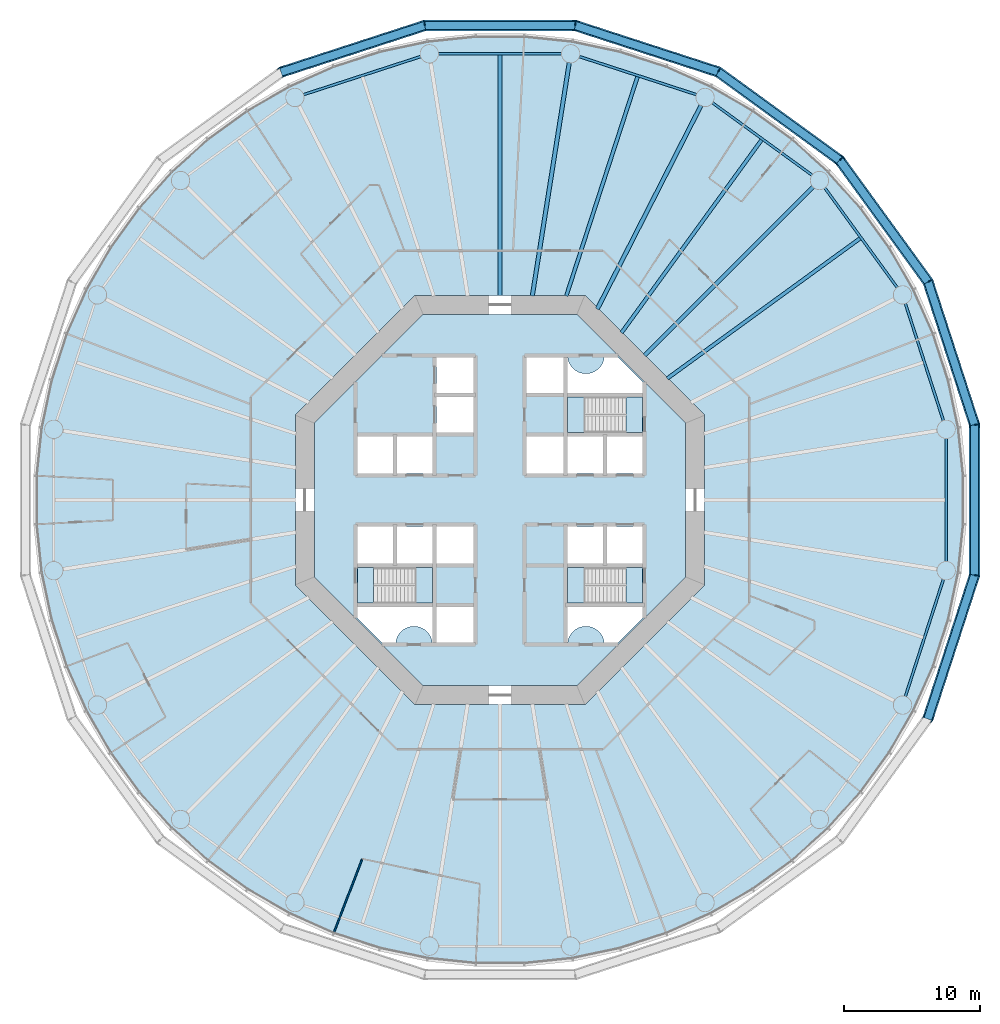
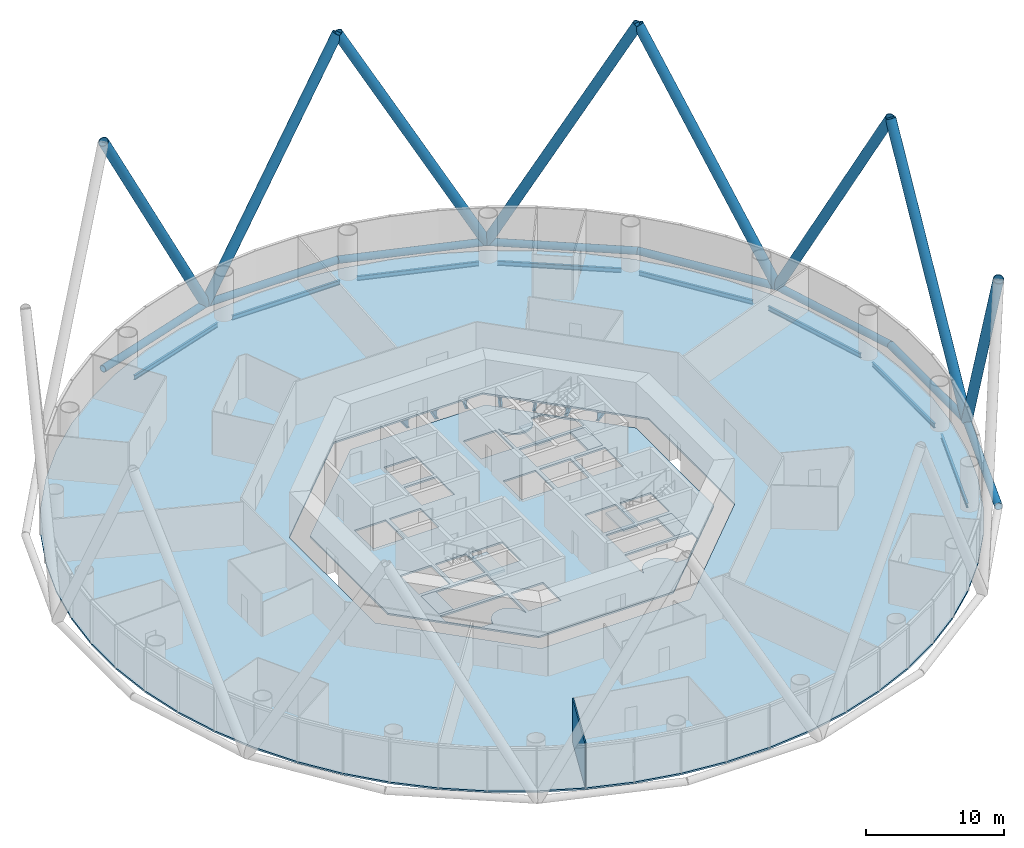
# One storey, part 2 of 13: 16 members, 15 beams, 8 slabs, 1 wall, 3 elements without a shape of their own.
"""IFC4 building model written with IfcOpenShell, lengths in metres."""

from ifc_helpers import new_model, si_unit, direction, frame, frame_2d, origin, origin_2d, place, context, subcontext, project, spatial, polyline, rectangle, circle, hollow_circle, i_section, outline, extrude, material, layer, layer_set, material_profile, profile_set, type_object, element, aggregate, save


model = new_model("IFC4")

# Units and contexts
model_context = context("Model", 3, precision=1e-05, world=origin(), true_north=direction((0.0, 1.0)))
body_context = subcontext(model_context, "Body", "Model", "MODEL_VIEW")
ifc_project = project(units=[si_unit("LENGTHUNIT", "METRE"), si_unit("AREAUNIT", "SQUARE_METRE"), si_unit("VOLUMEUNIT", "CUBIC_METRE"), si_unit("PLANEANGLEUNIT", "RADIAN"), si_unit("MASSUNIT", "GRAM", prefix="KILO")], contexts=[model_context])

# Site, building, storey
site_placement = place(None, origin())
site = spatial("IfcSite", under=ifc_project, at=site_placement, CompositionType="ELEMENT")
building_placement = place(site_placement, origin())
building = spatial("IfcBuilding", under=site, at=building_placement, Name="Entoto Ring Tower", CompositionType="ELEMENT")
storey_placement = place(building_placement, frame((0.0, 0.0, 54.0)))
storey = spatial("IfcBuildingStorey", under=building, at=storey_placement, Name="L11", CompositionType="ELEMENT", Elevation=54.0)

# Members
ifc_material_1 = material(Name="Steel S355", Category="steel")
ifc_material_profile_1 = material_profile(ifc_material_1, hollow_circle(Radius=0.39990234375, WallThickness=0.0400390625, at=origin_2d()), Name="CHS 800 x 40")
ifc_material_2 = material(Name="Concrete C60/75", Category="concrete")
ifc_material_profile_2 = material_profile(ifc_material_2, circle(Radius=0.360107421875, at=origin_2d()), Name="Concrete C60/75 infill")
ifc_profile_set_1 = profile_set([ifc_material_profile_1, ifc_material_profile_2], Name="Steel S355")
member_type_1 = type_object("IfcMemberType", Name="Diagrid diagonal 800 x 40 concrete-filled tube", PredefinedType="BRACE", material=ifc_profile_set_1)
member_1_placement = place(storey_placement, frame((121.363525390625, 95.98046875, 0.0), z_axis=(0.149050994589, -0.458744294344, 0.875978009666), x_axis=(0.951058991317, 0.309009376937, 0.0)))
element("IfcMember", 1, at=member_1_placement, inside=storey, type_object=member_type_1, Name="DG1 module 4 01", PredefinedType="BRACE", context=body_context, shape_type="SweptSolid", body=[
    extrude(hollow_circle(Radius=0.39990234375, WallThickness=0.0400390625, at=origin_2d()), origin(), (0.0, 0.0, 1.0), 22.83154296875),
])
for number, where, z_axis, x_axis, name in (
    (2, (121.363525390625, 95.98046875, 0.0), (-0.283526240634, 0.390232194068, 0.875974717435), (-0.809011122805, -0.587793333731, 0.0), "DG1 module 4 02"),
    (3, (105.98046875, 111.363525390625, 0.0), (0.390232194068, -0.283526240634, 0.875974717435), (0.587793333731, 0.809011122805, 0.0), "DG1 module 4 03"),
):
    element("IfcMember", number, at=place(storey_placement, frame(where, z_axis=z_axis, x_axis=x_axis)), inside=storey, type_object=member_type_1, Name=name, PredefinedType="BRACE", context=body_context, shape_type="SweptSolid", body=[
        extrude(hollow_circle(Radius=0.39990234375, WallThickness=0.0400390625, at=origin_2d()), origin(), (0.0, 0.0, 1.0), 22.831787109375),
    ])
member_2_placement = place(storey_placement, frame((105.98046875, 111.363525390625, 0.0), z_axis=(-0.458744294344, 0.149050994589, 0.875978009666), x_axis=(-0.309009376937, -0.951058991317, 0.0)))
element("IfcMember", 4, at=member_2_placement, inside=storey, type_object=member_type_1, Name="DG1 module 4 04", PredefinedType="BRACE", context=body_context, shape_type="SweptSolid", body=[
    extrude(hollow_circle(Radius=0.39990234375, WallThickness=0.0400390625, at=origin_2d()), origin(), (0.0, 0.0, 1.0), 22.83154296875),
])
member_3_placement = place(storey_placement, frame((84.493408203125, 114.7666015625, 0.0), z_axis=(0.482362007039, 0.0, 0.875971971107), x_axis=(0.0, 1.0, 0.0)))
element("IfcMember", 5, at=member_3_placement, inside=storey, type_object=member_type_1, Name="DG1 module 4 05", PredefinedType="BRACE", context=body_context, shape_type="SweptSolid", body=[
    extrude(hollow_circle(Radius=0.39990234375, WallThickness=0.0400390625, at=origin_2d()), origin(), (0.0, 0.0, 1.0), 22.831787109375),
])
for number, where, z_axis, x_axis, name in (
    (6, (84.493408203125, 114.7666015625, 0.0), (-0.458744294344, -0.149050994589, 0.875978009666), (0.309009376937, -0.951058991317, 0.0), "DG1 module 4 06"),
    (7, (124.7666015625, 74.493408203125, 0.0), (-0.149050994589, -0.458744294344, 0.875978009666), (0.951058991317, -0.309009376937, 0.0), "DG1 module 4 19"),
):
    element("IfcMember", number, at=place(storey_placement, frame(where, z_axis=z_axis, x_axis=x_axis)), inside=storey, type_object=member_type_1, Name=name, PredefinedType="BRACE", context=body_context, shape_type="SweptSolid", body=[
        extrude(hollow_circle(Radius=0.39990234375, WallThickness=0.0400390625, at=origin_2d()), origin(), (0.0, 0.0, 1.0), 22.83154296875),
    ])
member_4_placement = place(storey_placement, frame((124.7666015625, 74.493408203125, 0.0), z_axis=(0.0, 0.482362007039, 0.875971971107), x_axis=(-1.0, 0.0, 0.0)))
element("IfcMember", 8, at=member_4_placement, inside=storey, type_object=member_type_1, Name="DG1 module 4 20", PredefinedType="BRACE", context=body_context, shape_type="SweptSolid", body=[
    extrude(hollow_circle(Radius=0.39990234375, WallThickness=0.0400390625, at=origin_2d()), origin(), (0.0, 0.0, 1.0), 22.831787109375),
])
ifc_material_3 = material(Name="Steel S355", Category="steel")
ifc_material_profile_3 = material_profile(ifc_material_3, hollow_circle(Radius=0.300048828125, WallThickness=0.030029296875, at=origin_2d()), Name="CHS 600 x 30")
ifc_material_4 = material(Name="Concrete C60/75", Category="concrete")
ifc_material_profile_4 = material_profile(ifc_material_4, circle(Radius=0.27001953125, at=origin_2d()), Name="Concrete C60/75 infill")
ifc_profile_set_2 = profile_set([ifc_material_profile_3, ifc_material_profile_4], Name="Steel S355")
member_type_2 = type_object("IfcMemberType", Name="Diagrid ring beam 600 x 30", PredefinedType="CHORD", material=ifc_profile_set_2)
for number, where, z_axis, x_axis, name in (
    (9, (121.403076171875, 95.92578125, 0.0), (-0.587771863556, 0.809026721692, 0.0), (-0.809026721692, -0.587771863556, 0.0), "DR1 ring 3 01"),
    (10, (114.94482421875, 104.8505859375, 0.0), (-0.809026721692, 0.587771863556, 0.0), (-0.587771863556, -0.809026721692, 0.0), "DR1 ring 3 02"),
    (11, (106.044677734375, 111.342529296875, 0.0), (-0.951051931315, 0.309031105137, 0.0), (-0.309031105137, -0.951051931315, 0.0), "DR1 ring 3 03"),
    (12, (95.573974609375, 114.7666015625, 0.0), (-1.0, 0.0, 0.0), (0.0, -1.0, 0.0), "DR1 ring 3 04"),
    (13, (84.5576171875, 114.78759765625, 0.0), (-0.951051931315, -0.309031105137, 0.0), (0.309031105137, -0.951051931315, 0.0), "DR1 ring 3 05"),
    (14, (121.342529296875, 63.955322265625, 0.0), (0.309031105137, 0.951051931315, 0.0), (-0.951051931315, 0.309031105137, 0.0), "DR1 ring 3 18"),
    (15, (124.7666015625, 74.426025390625, 0.0), (0.0, 1.0, 0.0), (-1.0, 0.0, 0.0), "DR1 ring 3 19"),
    (16, (124.78759765625, 85.4423828125, 0.0), (-0.309031105137, 0.951051931315, 0.0), (-0.951051931315, -0.309031105137, 0.0), "DR1 ring 3 20"),
):
    element("IfcMember", number, at=place(storey_placement, frame(where, z_axis=z_axis, x_axis=x_axis)), inside=storey, type_object=member_type_2, Name=name, PredefinedType="CHORD", context=body_context, shape_type="SweptSolid", body=[
        extrude(hollow_circle(Radius=0.300048828125, WallThickness=0.030029296875, at=origin_2d()), origin(), (0.0, 0.0, 1.0), 11.14794921875),
    ])

# Beams
ifc_material_5 = material(Name="Steel S355", Category="steel")
ifc_material_profile_5 = material_profile(ifc_material_5, i_section(OverallWidth=0.179931640625, OverallDepth=0.39990234375, WebThickness=0.008544921875, FlangeThickness=0.013427734375, FilletRadius=0.02099609375, at=origin_2d()), Name="IPE 400")
ifc_profile_set_3 = profile_set([ifc_material_profile_5], Name="Steel S355")
beam_type_1 = type_object("IfcBeamType", Name="Edge beam IPE 400", PredefinedType="SPANDREL", material=ifc_profile_set_3)
for number, where, z_axis, x_axis, name in (
    (17, (122.484130859375, 85.819091796875, -0.35009765625), (-0.309006400295, 0.951059958455, 0.0), (-0.951059958455, -0.309006400295, 0.0), "Edge beam L11 01"),
    (18, (119.09619140625, 95.572509765625, -0.35009765625), (-0.587792917156, 0.80901142547, 0.0), (-0.80901142547, -0.587792917156, 0.0), "Edge beam L11 02"),
    (19, (112.85986328125, 103.801513671875, -0.35009765625), (-0.80901142547, 0.587792917156, 0.0), (-0.587792917156, -0.80901142547, 0.0), "Edge beam L11 03"),
    (20, (104.385986328125, 109.70068359375, -0.35009765625), (-0.951059958455, 0.309006400295, 0.0), (-0.309006400295, -0.951059958455, 0.0), "Edge beam L11 04"),
    (21, (94.50390625, 112.6923828125, -0.35009765625), (-1.0, 0.0, 0.0), (0.0, -1.0, 0.0), "Edge beam L11 05"),
    (22, (84.180908203125, 112.484130859375, -0.35009765625), (-0.951059958455, -0.309006400295, 0.0), (0.309006400295, -0.951059958455, 0.0), "Edge beam L11 06"),
    (23, (119.70068359375, 65.614013671875, -0.35009765625), (0.309006400295, 0.951059958455, 0.0), (-0.951059958455, 0.309006400295, 0.0), "Edge beam L11 19"),
    (24, (122.6923828125, 75.49609375, -0.35009765625), (0.0, 1.0, 0.0), (-1.0, 0.0, 0.0), "Edge beam L11 20"),
):
    element("IfcBeam", number, at=place(storey_placement, frame(where, z_axis=z_axis, x_axis=x_axis)), inside=storey, type_object=beam_type_1, Name=name, PredefinedType="SPANDREL", context=body_context, shape_type="SweptSolid", body=[
        extrude(i_section(OverallWidth=0.179931640625, OverallDepth=0.39990234375, WebThickness=0.008544921875, FlangeThickness=0.013427734375, FilletRadius=0.02099609375, at=origin_2d()), origin(), (0.0, 0.0, 1.0), 9.0078125),
    ])
ifc_material_6 = material(Name="Steel S355", Category="steel")
ifc_material_profile_6 = material_profile(ifc_material_6, i_section(OverallWidth=0.300048828125, OverallDepth=0.800048828125, WebThickness=0.017578125, FlangeThickness=0.032958984375, FilletRadius=0.030029296875, at=origin_2d()), Name="HE 800 B")
ifc_profile_set_4 = profile_set([ifc_material_profile_6], Name="Steel S355")
beam_type_2 = type_object("IfcBeamType", Name="Primary floor beam HE 800 B", PredefinedType="BEAM", material=ifc_profile_set_4)
beam_1_placement = place(storey_placement, frame((100.592529296875, 90.592529296875, -0.550048828125), z_axis=(0.707106781187, 0.707106781187, 0.0), x_axis=(-0.707106781187, 0.707106781187, 0.0)))
element("IfcBeam", 25, at=beam_1_placement, inside=storey, type_object=beam_type_2, Name="Primary L11 R03", PredefinedType="BEAM", context=body_context, shape_type="SweptSolid", body=[
    extrude(i_section(OverallWidth=0.300048828125, OverallDepth=0.800048828125, WebThickness=0.017578125, FlangeThickness=0.032958984375, FilletRadius=0.030029296875, at=origin_2d()), origin(), (0.0, 0.0, 1.0), 17.456298828125),
])
beam_2_placement = place(storey_placement, frame((97.129150390625, 93.99169921875, -0.550048828125), z_axis=(0.453988071063, 0.891007761657, 0.0), x_axis=(-0.891007761657, 0.453988071063, 0.0)))
element("IfcBeam", 26, at=beam_2_placement, inside=storey, type_object=beam_type_2, Name="Primary L11 R04", PredefinedType="BEAM", context=body_context, shape_type="SweptSolid", body=[
    extrude(i_section(OverallWidth=0.300048828125, OverallDepth=0.800048828125, WebThickness=0.017578125, FlangeThickness=0.032958984375, FilletRadius=0.030029296875, at=origin_2d()), origin(), (0.0, 0.0, 1.0), 16.733154296875),
])
beam_3_placement = place(storey_placement, frame((92.368896484375, 94.956787109375, -0.550048828125), z_axis=(0.156438130794, 0.98768775999, 0.0), x_axis=(-0.98768775999, 0.156438130794, 0.0)))
element("IfcBeam", 27, at=beam_3_placement, inside=storey, type_object=beam_type_2, Name="Primary L11 R05", PredefinedType="BEAM", context=body_context, shape_type="SweptSolid", body=[
    extrude(i_section(OverallWidth=0.300048828125, OverallDepth=0.800048828125, WebThickness=0.017578125, FlangeThickness=0.032958984375, FilletRadius=0.030029296875, at=origin_2d()), origin(), (0.0, 0.0, 1.0), 17.293212890625),
])
ifc_material_7 = material(Name="Steel S355", Category="steel")
ifc_material_profile_7 = material_profile(ifc_material_7, i_section(OverallWidth=0.262939453125, OverallDepth=0.7529296875, WebThickness=0.011474609375, FlangeThickness=0.01708984375, FilletRadius=0.01708984375, at=origin_2d()), Name="IPE 750 x 137")
ifc_profile_set_5 = profile_set([ifc_material_profile_7], Name="Steel S355")
beam_type_3 = type_object("IfcBeamType", Name="Secondary floor beam IPE 750 x 137", PredefinedType="JOIST", material=ifc_profile_set_5)
for number, where, z_axis, x_axis, name in (
    (28, (102.25341796875, 88.902587890625, -0.526611328125), (0.809014194973, 0.58778910532, 0.0), (-0.58778910532, 0.809014194973, 0.0), "Secondary beam L11 02"),
    (29, (98.902587890625, 92.25341796875, -0.526611328125), (0.58778910532, 0.809014194973, 0.0), (-0.809014194973, 0.58778910532, 0.0), "Secondary beam L11 03"),
):
    element("IfcBeam", number, at=place(storey_placement, frame(where, z_axis=z_axis, x_axis=x_axis)), inside=storey, type_object=beam_type_3, Name=name, PredefinedType="JOIST", context=body_context, shape_type="SweptSolid", body=[
        extrude(i_section(OverallWidth=0.262939453125, OverallDepth=0.7529296875, WebThickness=0.011474609375, FlangeThickness=0.01708984375, FilletRadius=0.01708984375, at=origin_2d()), origin(), (0.0, 0.0, 1.0), 17.45654296875),
    ])
beam_4_placement = place(storey_placement, frame((94.8544921875, 94.9404296875, -0.526611328125), z_axis=(0.30901287187, 0.951057855768, 0.0), x_axis=(-0.951057855768, 0.30901287187, 0.0)))
element("IfcBeam", 30, at=beam_4_placement, inside=storey, type_object=beam_type_3, Name="Secondary beam L11 04", PredefinedType="JOIST", context=body_context, shape_type="SweptSolid", body=[
    extrude(i_section(OverallWidth=0.262939453125, OverallDepth=0.7529296875, WebThickness=0.011474609375, FlangeThickness=0.01708984375, FilletRadius=0.01708984375, at=origin_2d()), origin(), (0.0, 0.0, 1.0), 16.893310546875),
])
beam_5_placement = place(storey_placement, frame((90.0, 94.97998046875, -0.526611328125), z_axis=(0.0, 1.0, 0.0), x_axis=(-1.0, 0.0, 0.0)))
element("IfcBeam", 31, at=beam_5_placement, inside=storey, type_object=beam_type_3, Name="Secondary beam L11 05", PredefinedType="JOIST", context=body_context, shape_type="SweptSolid", body=[
    extrude(i_section(OverallWidth=0.262939453125, OverallDepth=0.7529296875, WebThickness=0.011474609375, FlangeThickness=0.01708984375, FilletRadius=0.01708984375, at=origin_2d()), origin(), (0.0, 0.0, 1.0), 17.62255859375),
])

# Slabs
ifc_material_8 = material(Name="Concrete C30/37", Category="concrete")
ifc_layer_1 = layer(ifc_material_8, 0.14990234375)
ifc_layer_set_1 = layer_set([ifc_layer_1], Name="Concrete C30/37")
slab_type_1 = type_object("IfcSlabType", Name="Composite floor slab 150 mm", PredefinedType="FLOOR", material=ifc_layer_set_1)
slab_1_placement = place(storey_placement, frame((0.0, 0.0, -0.14990234375)))
element("IfcSlab", 32, at=slab_1_placement, inside=storey, type_object=slab_type_1, Name="Floor slab L11", PredefinedType="FLOOR", context=body_context, shape_type="SweptSolid", body=[
    extrude(outline(polyline([(123.68017578125, 85.33447265625), (122.93798828125, 88.82568359375), (121.835205078125, 92.220458984375), (120.38330078125, 95.48095703125), (118.5986328125, 98.572265625), (116.500732421875, 101.459716796875), (114.1123046875, 104.1123046875), (111.459716796875, 106.500732421875), (108.572265625, 108.5986328125), (105.48095703125, 110.38330078125), (102.220458984375, 111.835205078125), (98.82568359375, 112.93798828125), (95.33447265625, 113.68017578125), (91.78466796875, 114.05322265625), (88.21533203125, 114.05322265625), (84.66552734375, 113.68017578125), (81.17431640625, 112.93798828125), (77.779541015625, 111.835205078125), (74.51904296875, 110.38330078125), (71.427734375, 108.5986328125), (68.540283203125, 106.500732421875), (65.8876953125, 104.1123046875), (63.499267578125, 101.459716796875), (61.4013671875, 98.572265625), (59.61669921875, 95.48095703125), (58.164794921875, 92.220458984375), (57.06201171875, 88.82568359375), (56.31982421875, 85.33447265625), (55.94677734375, 81.78466796875), (55.94677734375, 78.21533203125), (56.31982421875, 74.66552734375), (57.06201171875, 71.17431640625), (58.164794921875, 67.779541015625), (59.61669921875, 64.51904296875), (61.4013671875, 61.427734375), (63.499267578125, 58.540283203125), (65.8876953125, 55.8876953125), (68.540283203125, 53.499267578125), (71.427734375, 51.4013671875), (74.51904296875, 49.61669921875), (77.779541015625, 48.164794921875), (81.17431640625, 47.06201171875), (84.66552734375, 46.31982421875), (88.21533203125, 45.94677734375), (91.78466796875, 45.94677734375), (95.33447265625, 46.31982421875), (98.82568359375, 47.06201171875), (102.220458984375, 48.164794921875), (105.48095703125, 49.61669921875), (108.572265625, 51.4013671875), (111.459716796875, 53.499267578125), (114.1123046875, 55.8876953125), (116.500732421875, 58.540283203125), (118.5986328125, 61.427734375), (120.38330078125, 64.51904296875), (121.835205078125, 67.779541015625), (122.93798828125, 71.17431640625), (123.68017578125, 74.66552734375), (124.05322265625, 78.21533203125), (124.05322265625, 81.78466796875), (123.68017578125, 85.33447265625)]), holes=[polyline([(105.0, 73.786865234375), (105.0, 86.213134765625), (96.213134765625, 95.0), (83.786865234375, 95.0), (75.0, 86.213134765625), (75.0, 73.786865234375), (83.786865234375, 65.0), (96.213134765625, 65.0), (105.0, 73.786865234375)])]), origin(), (0.0, 0.0, 1.0), 0.14990234375),
])
ifc_material_9 = material(Name="Concrete C40/50", Category="concrete")
ifc_layer_2 = layer(ifc_material_9, 0.14990234375)
ifc_layer_set_2 = layer_set([ifc_layer_2], Name="Concrete C40/50")
slab_type_2 = type_object("IfcSlabType", Name="Core floor slab 150 mm reinforced concrete C40/50", PredefinedType="FLOOR", material=ifc_layer_set_2)
slab_2_placement = place(storey_placement, frame((0.0, 0.0, -0.14990234375)))
element("IfcSlab", 33, at=slab_2_placement, inside=storey, type_object=slab_type_2, Name="Core floor L11", PredefinedType="FLOOR", context=body_context, shape_type="SweptSolid", body=[
    extrude(outline(polyline([(103.60009765625, 74.36669921875), (103.60009765625, 85.63330078125), (95.63330078125, 93.60009765625), (84.36669921875, 93.60009765625), (76.39990234375, 85.63330078125), (76.39990234375, 74.36669921875), (84.36669921875, 66.39990234375), (95.63330078125, 66.39990234375), (103.60009765625, 74.36669921875)]), holes=[polyline([(100.449951171875, 84.949951171875), (100.449951171875, 87.550048828125), (94.949951171875, 87.550048828125), (94.949951171875, 84.949951171875), (100.449951171875, 84.949951171875)]), polyline([(85.050048828125, 72.449951171875), (85.050048828125, 75.050048828125), (79.550048828125, 75.050048828125), (79.550048828125, 72.449951171875), (85.050048828125, 72.449951171875)]), polyline([(100.449951171875, 72.449951171875), (100.449951171875, 75.050048828125), (94.949951171875, 75.050048828125), (94.949951171875, 72.449951171875), (100.449951171875, 72.449951171875)]), polyline([(94.949951171875, 81.949951171875), (97.550048828125, 81.949951171875), (97.550048828125, 84.64990234375), (94.949951171875, 84.64990234375), (94.949951171875, 81.949951171875)]), polyline([(97.85009765625, 81.949951171875), (100.449951171875, 81.949951171875), (100.449951171875, 84.64990234375), (97.85009765625, 84.64990234375), (97.85009765625, 81.949951171875)]), polyline([(82.449951171875, 81.949951171875), (85.050048828125, 81.949951171875), (85.050048828125, 84.64990234375), (82.449951171875, 84.64990234375), (82.449951171875, 81.949951171875)]), polyline([(94.949951171875, 75.35009765625), (97.550048828125, 75.35009765625), (97.550048828125, 78.050048828125), (94.949951171875, 78.050048828125), (94.949951171875, 75.35009765625)]), polyline([(97.85009765625, 75.35009765625), (100.449951171875, 75.35009765625), (100.449951171875, 78.050048828125), (97.85009765625, 78.050048828125), (97.85009765625, 75.35009765625)]), polyline([(82.449951171875, 75.35009765625), (85.050048828125, 75.35009765625), (85.050048828125, 78.050048828125), (82.449951171875, 78.050048828125), (82.449951171875, 75.35009765625)]), polyline([(79.550048828125, 81.949951171875), (82.14990234375, 81.949951171875), (82.14990234375, 84.64990234375), (79.550048828125, 84.64990234375), (79.550048828125, 81.949951171875)]), polyline([(79.550048828125, 75.35009765625), (82.14990234375, 75.35009765625), (82.14990234375, 78.050048828125), (79.550048828125, 78.050048828125), (79.550048828125, 75.35009765625)]), polyline([(91.949951171875, 87.85009765625), (94.64990234375, 87.85009765625), (94.64990234375, 90.449951171875), (91.949951171875, 90.449951171875), (91.949951171875, 87.85009765625)]), polyline([(85.35009765625, 69.550048828125), (88.050048828125, 69.550048828125), (88.050048828125, 72.14990234375), (85.35009765625, 72.14990234375), (85.35009765625, 69.550048828125)]), polyline([(91.949951171875, 81.949951171875), (94.64990234375, 81.949951171875), (94.64990234375, 84.64990234375), (91.949951171875, 84.64990234375), (91.949951171875, 81.949951171875)]), polyline([(85.35009765625, 75.35009765625), (88.050048828125, 75.35009765625), (88.050048828125, 78.050048828125), (85.35009765625, 78.050048828125), (85.35009765625, 75.35009765625)]), polyline([(85.35009765625, 84.949951171875), (88.050048828125, 84.949951171875), (88.050048828125, 87.550048828125), (85.35009765625, 87.550048828125), (85.35009765625, 84.949951171875)]), polyline([(85.35009765625, 87.85009765625), (88.050048828125, 87.85009765625), (88.050048828125, 90.449951171875), (85.35009765625, 90.449951171875), (85.35009765625, 87.85009765625)]), polyline([(94.89990234375, 90.5), (94.89990234375, 87.800048828125), (100.5, 87.800048828125), (100.5, 88.591796875), (98.591796875, 90.5), (97.64501953125, 90.5), (97.6435546875, 90.4677734375), (97.6240234375, 90.336669921875), (97.591796875, 90.2080078125), (97.547119140625, 90.08349609375), (97.490478515625, 89.963623046875), (97.422607421875, 89.85009765625), (97.343505859375, 89.74365234375), (97.254638671875, 89.6455078125), (97.156494140625, 89.556396484375), (97.050048828125, 89.4775390625), (96.936279296875, 89.409423828125), (96.816650390625, 89.352783203125), (96.69189453125, 89.30810546875), (96.5634765625, 89.27587890625), (96.432373046875, 89.256591796875), (96.300048828125, 89.25), (96.167724609375, 89.256591796875), (96.03662109375, 89.27587890625), (95.908203125, 89.30810546875), (95.783447265625, 89.352783203125), (95.66357421875, 89.409423828125), (95.550048828125, 89.4775390625), (95.443603515625, 89.556396484375), (95.345458984375, 89.6455078125), (95.25634765625, 89.74365234375), (95.177490234375, 89.85009765625), (95.109375, 89.963623046875), (95.052734375, 90.08349609375), (95.008056640625, 90.2080078125), (94.975830078125, 90.336669921875), (94.95654296875, 90.4677734375), (94.954833984375, 90.5), (94.89990234375, 90.5)]), polyline([(79.5, 71.408203125), (81.408203125, 69.5), (82.35498046875, 69.5), (82.3564453125, 69.5322265625), (82.3759765625, 69.663330078125), (82.408203125, 69.7919921875), (82.452880859375, 69.91650390625), (82.509521484375, 70.036376953125), (82.577392578125, 70.14990234375), (82.656494140625, 70.25634765625), (82.745361328125, 70.3544921875), (82.843505859375, 70.443603515625), (82.949951171875, 70.5224609375), (83.063720703125, 70.590576171875), (83.183349609375, 70.647216796875), (83.30810546875, 70.69189453125), (83.4365234375, 70.72412109375), (83.567626953125, 70.743408203125), (83.699951171875, 70.75), (83.832275390625, 70.743408203125), (83.96337890625, 70.72412109375), (84.091796875, 70.69189453125), (84.216552734375, 70.647216796875), (84.33642578125, 70.590576171875), (84.449951171875, 70.5224609375), (84.556396484375, 70.443603515625), (84.654541015625, 70.3544921875), (84.74365234375, 70.25634765625), (84.822509765625, 70.14990234375), (84.890625, 70.036376953125), (84.947265625, 69.91650390625), (84.991943359375, 69.7919921875), (85.024169921875, 69.663330078125), (85.04345703125, 69.5322265625), (85.045166015625, 69.5), (85.10009765625, 69.5), (85.10009765625, 72.199951171875), (79.5, 72.199951171875), (79.5, 71.408203125)]), polyline([(97.64501953125, 69.5), (98.591796875, 69.5), (100.5, 71.408203125), (100.5, 72.199951171875), (94.89990234375, 72.199951171875), (94.89990234375, 69.5), (94.954833984375, 69.5), (94.95654296875, 69.5322265625), (94.975830078125, 69.663330078125), (95.008056640625, 69.7919921875), (95.052734375, 69.91650390625), (95.109375, 70.036376953125), (95.177490234375, 70.14990234375), (95.25634765625, 70.25634765625), (95.345458984375, 70.3544921875), (95.443603515625, 70.443603515625), (95.550048828125, 70.5224609375), (95.66357421875, 70.590576171875), (95.783447265625, 70.647216796875), (95.908203125, 70.69189453125), (96.03662109375, 70.72412109375), (96.167724609375, 70.743408203125), (96.300048828125, 70.75), (96.432373046875, 70.743408203125), (96.5634765625, 70.72412109375), (96.69189453125, 70.69189453125), (96.816650390625, 70.647216796875), (96.936279296875, 70.590576171875), (97.050048828125, 70.5224609375), (97.156494140625, 70.443603515625), (97.254638671875, 70.3544921875), (97.343505859375, 70.25634765625), (97.422607421875, 70.14990234375), (97.490478515625, 70.036376953125), (97.547119140625, 69.91650390625), (97.591796875, 69.7919921875), (97.6240234375, 69.663330078125), (97.6435546875, 69.5322265625), (97.64501953125, 69.5)])]), origin(), (0.0, 0.0, 1.0), 0.14990234375),
])

# Stair, slabs
ifc_material_10 = material(Name="Concrete C40/50", Category="concrete")
stair_type = type_object("IfcStairType", Name="Exit stair 1200 mm dog-leg reinforced concrete", PredefinedType="HALF_TURN_STAIR", material=ifc_material_10)
stair_1_placement = place(storey_placement, origin())
stair_1 = element("IfcStair", 34, at=stair_1_placement, inside=storey, type_object=stair_type, Name="Exit stair 1", PredefinedType="HALF_TURN_STAIR")
ifc_material_11 = material(Name="Concrete C40/50", Category="concrete")
ifc_layer_3 = layer(ifc_material_11, 0.199951171875)
ifc_layer_set_3 = layer_set([ifc_layer_3], Name="Concrete C40/50")
slab_type_3 = type_object("IfcSlabType", Name="Stair landing 200 mm reinforced concrete", PredefinedType="LANDING", material=ifc_layer_set_3)
slab_3_placement = place(storey_placement, frame((0.0, 0.0, -0.199951171875)))
slab_3 = element("IfcSlab", 35, at=slab_3_placement, type_object=slab_type_3, Name="ST1 landing 1", PredefinedType="LANDING", context=body_context, shape_type="SweptSolid", body=[
    extrude(outline(polyline([(100.449951171875, 84.949951171875), (100.449951171875, 87.550048828125), (99.25, 87.550048828125), (99.25, 84.949951171875), (100.449951171875, 84.949951171875)])), origin(), (0.0, 0.0, 1.0), 0.199951171875),
])
slab_4_placement = place(storey_placement, frame((0.0, 0.0, 1.800048828125)))
slab_4 = element("IfcSlab", 36, at=slab_4_placement, type_object=slab_type_3, Name="ST1 landing 2", PredefinedType="LANDING", context=body_context, shape_type="SweptSolid", body=[
    extrude(outline(polyline([(94.949951171875, 84.949951171875), (96.169921875, 84.949951171875), (96.169921875, 87.550048828125), (94.949951171875, 87.550048828125), (94.949951171875, 84.949951171875)])), origin(), (0.0, 0.0, 1.0), 0.199951171875),
])
aggregate(stair_1, [slab_3, slab_4])

stair_2_placement = place(storey_placement, origin())
stair_2 = element("IfcStair", 37, at=stair_2_placement, inside=storey, type_object=stair_type, Name="Exit stair 2", PredefinedType="HALF_TURN_STAIR")
slab_5_placement = place(storey_placement, frame((0.0, 0.0, -0.199951171875)))
slab_5 = element("IfcSlab", 38, at=slab_5_placement, type_object=slab_type_3, Name="ST2 landing 1", PredefinedType="LANDING", context=body_context, shape_type="SweptSolid", body=[
    extrude(outline(polyline([(80.75, 72.449951171875), (80.75, 75.050048828125), (79.550048828125, 75.050048828125), (79.550048828125, 72.449951171875), (80.75, 72.449951171875)])), origin(), (0.0, 0.0, 1.0), 0.199951171875),
])
slab_6_placement = place(storey_placement, frame((0.0, 0.0, 1.800048828125)))
slab_6 = element("IfcSlab", 39, at=slab_6_placement, type_object=slab_type_3, Name="ST2 landing 2", PredefinedType="LANDING", context=body_context, shape_type="SweptSolid", body=[
    extrude(outline(polyline([(83.830078125, 72.449951171875), (85.050048828125, 72.449951171875), (85.050048828125, 75.050048828125), (83.830078125, 75.050048828125), (83.830078125, 72.449951171875)])), origin(), (0.0, 0.0, 1.0), 0.199951171875),
])
aggregate(stair_2, [slab_5, slab_6])

stair_3_placement = place(storey_placement, origin())
stair_3 = element("IfcStair", 40, at=stair_3_placement, inside=storey, type_object=stair_type, Name="Exit stair 3", PredefinedType="HALF_TURN_STAIR")
slab_7_placement = place(storey_placement, frame((0.0, 0.0, -0.199951171875)))
slab_7 = element("IfcSlab", 41, at=slab_7_placement, type_object=slab_type_3, Name="ST3 landing 1", PredefinedType="LANDING", context=body_context, shape_type="SweptSolid", body=[
    extrude(outline(polyline([(100.449951171875, 72.449951171875), (100.449951171875, 75.050048828125), (99.25, 75.050048828125), (99.25, 72.449951171875), (100.449951171875, 72.449951171875)])), origin(), (0.0, 0.0, 1.0), 0.199951171875),
])
slab_8_placement = place(storey_placement, frame((0.0, 0.0, 1.800048828125)))
slab_8 = element("IfcSlab", 42, at=slab_8_placement, type_object=slab_type_3, Name="ST3 landing 2", PredefinedType="LANDING", context=body_context, shape_type="SweptSolid", body=[
    extrude(outline(polyline([(94.949951171875, 72.449951171875), (96.169921875, 72.449951171875), (96.169921875, 75.050048828125), (94.949951171875, 75.050048828125), (94.949951171875, 72.449951171875)])), origin(), (0.0, 0.0, 1.0), 0.199951171875),
])
aggregate(stair_3, [slab_7, slab_8])

# Wall
ifc_material_12 = material(Name="Plasterboard on steel studs", Category="steel")
ifc_layer_4 = layer(ifc_material_12, 0.10009765625)
ifc_layer_set_4 = layer_set([ifc_layer_4], Name="Plasterboard on steel studs")
wall_type = type_object("IfcWallType", Name="Partition 100 mm plasterboard on steel studs", PredefinedType="PARTITIONING", material=ifc_layer_set_4)
wall_placement = place(storey_placement, frame((77.8369140625, 48.314208984375, 0.0), z_axis=(0.0, 0.0, 1.0), x_axis=(0.358368080848, 0.933580376095, 0.0)))
element("IfcWall", 43, at=wall_placement, inside=storey, type_object=wall_type, Name="partition-L11-025", PredefinedType="PARTITIONING", context=body_context, shape_type="SweptSolid", body=[
    extrude(rectangle(XDim=5.730712890625, YDim=0.10009765625, at=frame_2d((2.865234375, 0.0))), origin(), (0.0, 0.0, 1.0), 3.85009765625),
])

save(model, "model.ifc")
